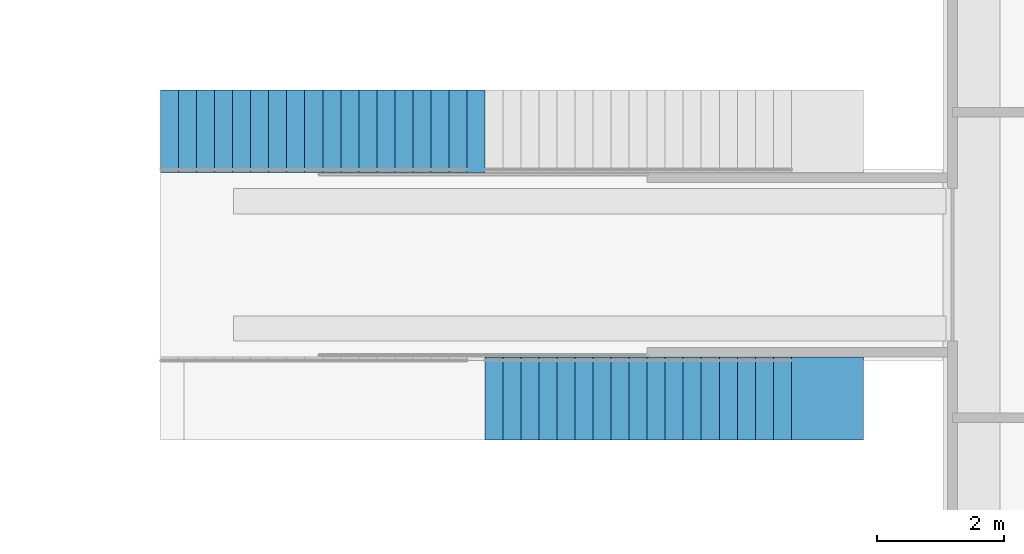
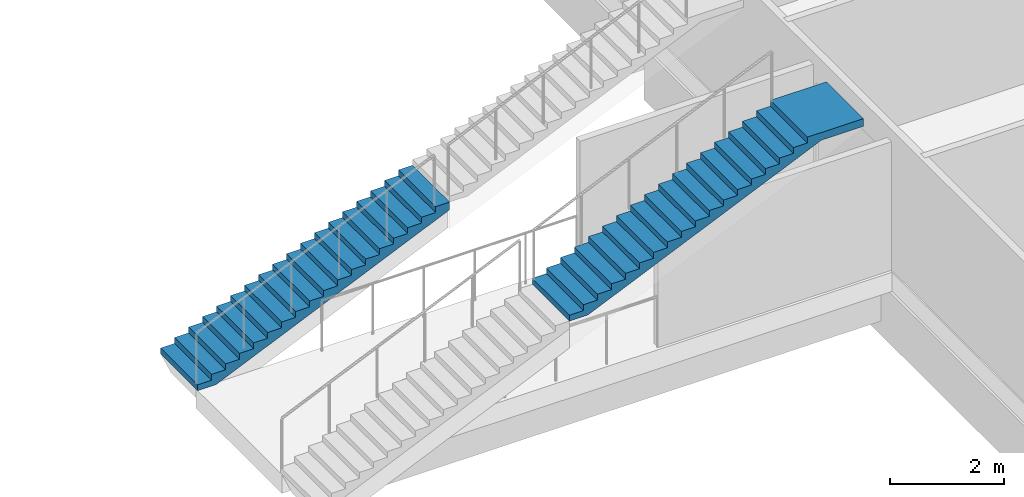
# One storey, part 103 of 175: 2 stair flights, 2 elements without a shape of their own.
"""IFC4 building model written with IfcOpenShell, lengths in metres."""

import ifcopenshell
import ifcopenshell.guid

model = None  # the IFC model being written
_history = None  # IfcOwnerHistory: only IFC2X3 demands one
_inside = {}  # id of a spatial element -> (the spatial element, [elements in it])
_under = {}  # id of a project, library or spatial element -> (it, [spatial elements below it])
_declared = {}  # id of a project -> (the project, [libraries it declares])
_typed = {}  # id of a type object -> (the type object, [elements of that type])
_made_of = {}  # id of a material, layer set ... -> (it, [elements and type objects made of it])


def new_model(schema):
    """Start an empty IFC model of exactly this schema.

    Asked for "IFC4X3", IfcOpenShell would pick the latest addendum, in which some entities
    have other attributes; the version numbers below select the first issue.
    IFC2X3 requires an IfcOwnerHistory on every rooted entity: one is made here for all.
    """
    global model, _history
    if schema == "IFC4X3":
        model = ifcopenshell.file(schema_version=(4, 3, 0, 0))
    else:
        model = ifcopenshell.file(schema=schema)
    _inside.clear()
    _under.clear()
    _declared.clear()
    _typed.clear()
    _made_of.clear()
    _history = None
    if model.schema == "IFC2X3":
        org = make("IfcOrganization", Name="unknown")
        user = make(
            "IfcPersonAndOrganization",
            ThePerson=make("IfcPerson", FamilyName="unknown"),
            TheOrganization=org,
        )
        app = make(
            "IfcApplication",
            ApplicationDeveloper=org,
            Version="unknown",
            ApplicationFullName="unknown",
            ApplicationIdentifier="unknown",
        )
        _history = make(
            "IfcOwnerHistory",
            OwningUser=user,
            OwningApplication=app,
            ChangeAction="ADDED",
            CreationDate=0,
        )
    return model


def make(cls, **values):
    """One entity of the class cls with the attributes given. An attribute that is None is left unset."""
    return model.create_entity(
        cls, **{name: value for name, value in values.items() if value is not None}
    )


def rooted(cls, **values):
    """An entity with a GlobalId (a new one), such as an element, a storey or a relation."""
    return make(cls, GlobalId=ifcopenshell.guid.new(), OwnerHistory=_history, **values)


def si_unit(unit_type, name, prefix=None):
    """IfcSIUnit, for example si_unit("LENGTHUNIT", "METRE", prefix="MILLI")."""
    return make("IfcSIUnit", UnitType=unit_type, Prefix=prefix, Name=name)


def assignment(units):
    """IfcUnitAssignment: the units of a project."""
    return None if units is None else make("IfcUnitAssignment", Units=units)


def point(xyz):
    """IfcCartesianPoint."""
    return None if xyz is None else make("IfcCartesianPoint", Coordinates=xyz)


def direction(xyz):
    """IfcDirection."""
    return None if xyz is None else make("IfcDirection", DirectionRatios=xyz)


def frame(location, z_axis=None, x_axis=None):
    """IfcAxis2Placement3D, a coordinate frame: its origin and axes. An axis left out is left unset."""
    return make(
        "IfcAxis2Placement3D",
        Location=point(location),
        Axis=direction(z_axis),
        RefDirection=direction(x_axis),
    )


def origin():
    """The frame at (0, 0, 0) with its axes left unset."""
    return frame((0.0, 0.0, 0.0))


def place(relative_to, where):
    """IfcLocalPlacement: puts the frame where relative to a parent placement (None: the world)."""
    return make(
        "IfcLocalPlacement", PlacementRelTo=relative_to, RelativePlacement=where
    )


def context(
    kind, dimensions, precision=None, world=None, true_north=None, identifier=None
):
    """IfcGeometricRepresentationContext, for example the 3D "Model" context."""
    return make(
        "IfcGeometricRepresentationContext",
        ContextIdentifier=identifier,
        ContextType=kind,
        CoordinateSpaceDimension=dimensions,
        Precision=precision,
        WorldCoordinateSystem=world,
        TrueNorth=true_north,
    )


def subcontext(parent, identifier, kind, view, scale=None):
    """IfcGeometricRepresentationSubContext, for example "Body" below "Model"."""
    return make(
        "IfcGeometricRepresentationSubContext",
        ContextIdentifier=identifier,
        ContextType=kind,
        ParentContext=parent,
        TargetScale=scale,
        TargetView=view,
    )


def project(units=None, contexts=None):
    """IfcProject with its units and contexts."""
    return rooted(
        "IfcProject",
        Name="project",
        RepresentationContexts=contexts,
        UnitsInContext=assignment(units),
    )


def spatial(cls, under=None, at=None, **own):
    """A site, building, storey or space (cls), placed at a placement, below another one or the project."""
    s = rooted(cls, ObjectPlacement=at, **own)
    if under is not None:
        _under.setdefault(under.id(), (under, []))[1].append(s)
    return s


def faces_of(points, faces, orient=None, outer=None):
    """IfcFace entities. A face is a list of loops; a loop is a list of indices into points, from 0.

    orient and outer hold one flag for each loop. By default every Orientation is true, the
    first loop of a face is its IfcFaceOuterBound and the others are IfcFaceBound.
    """
    made = []
    for i, loops in enumerate(faces):
        bounds = []
        for j, loop in enumerate(loops):
            is_outer = j == 0 if outer is None else outer[i][j]
            bounds.append(
                make(
                    "IfcFaceOuterBound" if is_outer else "IfcFaceBound",
                    Bound=make("IfcPolyLoop", Polygon=[points[k] for k in loop]),
                    Orientation=True if orient is None else orient[i][j],
                )
            )
        made.append(make("IfcFace", Bounds=bounds))
    return made


def faceted_brep(points, faces, orient=None, outer=None, voids=None):
    """IfcFacetedBrep: a solid bounded by flat faces; with voids (closed shells), ...WithVoids."""
    shared = [point(p) for p in points]
    hull = make("IfcClosedShell", CfsFaces=faces_of(shared, faces, orient, outer))
    if voids is None:
        return make("IfcFacetedBrep", Outer=hull)
    return make(
        "IfcFacetedBrepWithVoids",
        Outer=hull,
        Voids=[
            make(cls, CfsFaces=faces_of(shared, fs, o, b)) for cls, fs, o, b in voids
        ],
    )


def shape(context_of_items, identifier, shape_type, items):
    """IfcShapeRepresentation: the items that make up one representation, for example the "Body"."""
    return make(
        "IfcShapeRepresentation",
        ContextOfItems=context_of_items,
        RepresentationIdentifier=identifier,
        RepresentationType=shape_type,
        Items=items,
    )


def material(Name=None, Category=None):
    """IfcMaterial."""
    return make("IfcMaterial", Name=Name, Category=Category)


def made_of(thing, what):
    """Note that an element or type object is made of a material, layer set ...; save() writes the relation."""
    if what is not None:
        _made_of.setdefault(what.id(), (what, []))[1].append(thing)
    return thing


def type_object(cls, material=None, **own):
    """A type object (cls), such as IfcWallType, which elements share."""
    return made_of(rooted(cls, **own), material)


def element(
    cls,
    number,
    at=None,
    inside=None,
    cuts=None,
    type_object=None,
    material=None,
    context=None,
    identifier="Body",
    shape_type=None,
    held_by="IfcProductDefinitionShape",
    body=None,
    shapes=None,
    **own,
):
    """One element of the class cls, such as IfcWall. Its Tag is "e" and its number.

    at: its placement. inside: the storey or other place that contains it. cuts: it is an
    opening in that element (IfcRelVoidsElement). A single representation is given by context,
    identifier, shape_type and body (its items); several are given by shapes. held_by: the class
    of the entity that holds the representations. save() writes the other relations.
    """
    e = rooted(cls, Tag="e%d" % number, ObjectPlacement=at, **own)
    if body is not None:
        shapes = [shape(context, identifier, shape_type, body)]
    if shapes is not None:
        e.Representation = make(held_by, Representations=shapes)
    if inside is not None:
        _inside.setdefault(inside.id(), (inside, []))[1].append(e)
    if cuts is not None:
        rooted(
            "IfcRelVoidsElement", RelatingBuildingElement=cuts, RelatedOpeningElement=e
        )
    if type_object is not None:
        _typed.setdefault(type_object.id(), (type_object, []))[1].append(e)
    return made_of(e, material)


def aggregate(whole, parts):
    """IfcRelAggregates: a whole, such as a stair, and the parts it consists of."""
    return rooted("IfcRelAggregates", RelatingObject=whole, RelatedObjects=parts)


def save(model, path):
    """Write the relations noted so far, then the file.

    IfcRelAggregates (storeys below a building ...), IfcRelContainedInSpatialStructure (elements
    in a storey), IfcRelDefinesByType, IfcRelAssociatesMaterial and IfcRelDeclares: one each for
    every whole, place, type object, material and project.
    """
    for whole, parts in _under.values():
        aggregate(whole, parts)
    for where, things in _inside.values():
        rooted(
            "IfcRelContainedInSpatialStructure",
            RelatedElements=things,
            RelatingStructure=where,
        )
    for kind, things in _typed.values():
        rooted("IfcRelDefinesByType", RelatedObjects=things, RelatingType=kind)
    for what, things in _made_of.values():
        rooted("IfcRelAssociatesMaterial", RelatedObjects=things, RelatingMaterial=what)
    for by, libraries in _declared.values():
        rooted("IfcRelDeclares", RelatingContext=by, RelatedDefinitions=libraries)
    model.write(path)


model = new_model("IFC4")

# Units and contexts
model_context = context("Model", 3, precision=1e-05, world=origin(), true_north=direction((0.0, 1.0)))
body_context = subcontext(model_context, "Body", "Model", "MODEL_VIEW")
ifc_project = project(units=[si_unit("LENGTHUNIT", "METRE"), si_unit("AREAUNIT", "SQUARE_METRE"), si_unit("VOLUMEUNIT", "CUBIC_METRE"), si_unit("PLANEANGLEUNIT", "RADIAN"), si_unit("MASSUNIT", "GRAM", prefix="KILO")], contexts=[model_context])

# Site, building, storey
site_placement = place(None, origin())
site = spatial("IfcSite", under=ifc_project, at=site_placement, CompositionType="ELEMENT")
building_placement = place(site_placement, origin())
building = spatial("IfcBuilding", under=site, at=building_placement, Name="Ogive Plaza Stadium", CompositionType="ELEMENT")
storey_placement = place(building_placement, origin())
storey = spatial("IfcBuildingStorey", under=building, at=storey_placement, Name="L00", CompositionType="ELEMENT", Elevation=0.0)

# Stair, stair flight
ifc_material_1 = material(Name="Concrete C40/50", Category="concrete")
stair_type = type_object("IfcStairType", Name="Aisle stair", PredefinedType="STRAIGHT_RUN_STAIR", material=ifc_material_1)
stair_1_placement = place(storey_placement, origin())
stair_1 = element("IfcStair", 1, at=stair_1_placement, inside=storey, type_object=stair_type, Name="Aisle stair SA03L", PredefinedType="STRAIGHT_RUN_STAIR")
ifc_material_2 = material(Name="Concrete C40/50", Category="concrete")
stair_flight_type = type_object("IfcStairFlightType", Name="Aisle stair flight", PredefinedType="STRAIGHT", material=ifc_material_2)
stair_flight_1_placement = place(storey_placement, frame((54.25, 12.89990234375, 2.25), z_axis=(0.0, 0.0, 1.0), x_axis=(1.0, 0.0, 0.0)))
stair_flight_1 = element("IfcStairFlight", 2, at=stair_flight_1_placement, type_object=stair_flight_type, Name="SA03L flight 2", NumberOfRisers=18, NumberOfTreads=17, PredefinedType="STRAIGHT", RiserHeight=0.125, TreadLength=0.283333333, context=body_context, shape_type="Brep", body=[
    faceted_brep([(0.371337890625, -0.64990234375, 0.0), (5.10009765625, -0.64990234375, 2.086181640625), (5.949951171875, -0.64990234375, 2.086181640625), (5.949951171875, -0.64990234375, 2.25), (4.816650390625, -0.64990234375, 2.25), (4.816650390625, -0.64990234375, 2.125), (4.533447265625, -0.64990234375, 2.125), (4.533447265625, -0.64990234375, 2.0), (4.25, -0.64990234375, 2.0), (4.25, -0.64990234375, 1.875), (3.966552734375, -0.64990234375, 1.875), (3.966552734375, -0.64990234375, 1.75), (3.683349609375, -0.64990234375, 1.75), (3.683349609375, -0.64990234375, 1.625), (3.39990234375, -0.64990234375, 1.625), (3.39990234375, -0.64990234375, 1.5), (3.11669921875, -0.64990234375, 1.5), (3.11669921875, -0.64990234375, 1.375), (2.833251953125, -0.64990234375, 1.375), (2.833251953125, -0.64990234375, 1.25), (2.550048828125, -0.64990234375, 1.25), (2.550048828125, -0.64990234375, 1.125), (2.2666015625, -0.64990234375, 1.125), (2.2666015625, -0.64990234375, 1.0), (1.9833984375, -0.64990234375, 1.0), (1.9833984375, -0.64990234375, 0.875), (1.699951171875, -0.64990234375, 0.875), (1.699951171875, -0.64990234375, 0.75), (1.416748046875, -0.64990234375, 0.75), (1.416748046875, -0.64990234375, 0.625), (1.13330078125, -0.64990234375, 0.625), (1.13330078125, -0.64990234375, 0.5), (0.85009765625, -0.64990234375, 0.5), (0.85009765625, -0.64990234375, 0.375), (0.566650390625, -0.64990234375, 0.375), (0.566650390625, -0.64990234375, 0.25), (0.283447265625, -0.64990234375, 0.25), (0.283447265625, -0.64990234375, 0.125), (0.0, -0.64990234375, 0.125), (0.0, -0.64990234375, 0.0), (0.0, 0.64990234375, 0.0), (0.0, 0.64990234375, 0.125), (0.283447265625, 0.64990234375, 0.125), (0.283447265625, 0.64990234375, 0.25), (0.566650390625, 0.64990234375, 0.25), (0.566650390625, 0.64990234375, 0.375), (0.85009765625, 0.64990234375, 0.375), (0.85009765625, 0.64990234375, 0.5), (1.13330078125, 0.64990234375, 0.5), (1.13330078125, 0.64990234375, 0.625), (1.416748046875, 0.64990234375, 0.625), (1.416748046875, 0.64990234375, 0.75), (1.699951171875, 0.64990234375, 0.75), (1.699951171875, 0.64990234375, 0.875), (1.9833984375, 0.64990234375, 0.875), (1.9833984375, 0.64990234375, 1.0), (2.2666015625, 0.64990234375, 1.0), (2.2666015625, 0.64990234375, 1.125), (2.550048828125, 0.64990234375, 1.125), (2.550048828125, 0.64990234375, 1.25), (2.833251953125, 0.64990234375, 1.25), (2.833251953125, 0.64990234375, 1.375), (3.11669921875, 0.64990234375, 1.375), (3.11669921875, 0.64990234375, 1.5), (3.39990234375, 0.64990234375, 1.5), (3.39990234375, 0.64990234375, 1.625), (3.683349609375, 0.64990234375, 1.625), (3.683349609375, 0.64990234375, 1.75), (3.966552734375, 0.64990234375, 1.75), (3.966552734375, 0.64990234375, 1.875), (4.25, 0.64990234375, 1.875), (4.25, 0.64990234375, 2.0), (4.533447265625, 0.64990234375, 2.0), (4.533447265625, 0.64990234375, 2.125), (4.816650390625, 0.64990234375, 2.125), (4.816650390625, 0.64990234375, 2.25), (5.949951171875, 0.64990234375, 2.25), (5.949951171875, 0.64990234375, 2.086181640625), (5.10009765625, 0.64990234375, 2.086181640625), (0.371337890625, 0.64990234375, 0.0), (0.371337890625, -0.324951171875, 0.0), (5.10009765625, -0.324951171875, 2.086181640625), (0.371337890625, 0.0, 0.0), (5.10009765625, 0.0, 2.086181640625), (0.371337890625, 0.324951171875, 0.0), (5.10009765625, 0.324951171875, 2.086181640625), (5.949951171875, -0.324951171875, 2.086181640625), (5.949951171875, 0.0, 2.086181640625), (5.949951171875, 0.324951171875, 2.086181640625), (5.949951171875, -0.324951171875, 2.25), (5.949951171875, 0.0, 2.25), (5.949951171875, 0.324951171875, 2.25), (4.816650390625, -0.324951171875, 2.25), (4.816650390625, 0.0, 2.25), (4.816650390625, 0.324951171875, 2.25), (4.816650390625, -0.324951171875, 2.125), (4.816650390625, 0.0, 2.125), (4.816650390625, 0.324951171875, 2.125), (4.533447265625, -0.324951171875, 2.125), (4.533447265625, 0.0, 2.125), (4.533447265625, 0.324951171875, 2.125), (4.533447265625, -0.324951171875, 2.0), (4.533447265625, 0.0, 2.0), (4.533447265625, 0.324951171875, 2.0), (4.25, -0.324951171875, 2.0), (4.25, 0.0, 2.0), (4.25, 0.324951171875, 2.0), (4.25, -0.324951171875, 1.875), (4.25, 0.0, 1.875), (4.25, 0.324951171875, 1.875), (3.966552734375, -0.324951171875, 1.875), (3.966552734375, 0.0, 1.875), (3.966552734375, 0.324951171875, 1.875), (3.966552734375, -0.324951171875, 1.75), (3.966552734375, 0.0, 1.75), (3.966552734375, 0.324951171875, 1.75), (3.683349609375, -0.324951171875, 1.75), (3.683349609375, 0.0, 1.75), (3.683349609375, 0.324951171875, 1.75), (3.683349609375, -0.324951171875, 1.625), (3.683349609375, 0.0, 1.625), (3.683349609375, 0.324951171875, 1.625), (3.39990234375, -0.324951171875, 1.625), (3.39990234375, 0.0, 1.625), (3.39990234375, 0.324951171875, 1.625), (3.39990234375, -0.324951171875, 1.5), (3.39990234375, 0.0, 1.5), (3.39990234375, 0.324951171875, 1.5), (3.11669921875, -0.324951171875, 1.5), (3.11669921875, 0.0, 1.5), (3.11669921875, 0.324951171875, 1.5), (3.11669921875, -0.324951171875, 1.375), (3.11669921875, 0.0, 1.375), (3.11669921875, 0.324951171875, 1.375), (2.833251953125, -0.324951171875, 1.375), (2.833251953125, 0.0, 1.375), (2.833251953125, 0.324951171875, 1.375), (2.833251953125, -0.324951171875, 1.25), (2.833251953125, 0.0, 1.25), (2.833251953125, 0.324951171875, 1.25), (2.550048828125, -0.324951171875, 1.25), (2.550048828125, 0.0, 1.25), (2.550048828125, 0.324951171875, 1.25), (2.550048828125, -0.324951171875, 1.125), (2.550048828125, 0.0, 1.125), (2.550048828125, 0.324951171875, 1.125), (2.2666015625, -0.324951171875, 1.125), (2.2666015625, 0.0, 1.125), (2.2666015625, 0.324951171875, 1.125), (2.2666015625, -0.324951171875, 1.0), (2.2666015625, 0.0, 1.0), (2.2666015625, 0.324951171875, 1.0), (1.9833984375, -0.324951171875, 1.0), (1.9833984375, 0.0, 1.0), (1.9833984375, 0.324951171875, 1.0), (1.9833984375, -0.324951171875, 0.875), (1.9833984375, 0.0, 0.875), (1.9833984375, 0.324951171875, 0.875), (1.699951171875, -0.324951171875, 0.875), (1.699951171875, 0.0, 0.875), (1.699951171875, 0.324951171875, 0.875), (1.699951171875, -0.324951171875, 0.75), (1.699951171875, 0.0, 0.75), (1.699951171875, 0.324951171875, 0.75), (1.416748046875, -0.324951171875, 0.75), (1.416748046875, 0.0, 0.75), (1.416748046875, 0.324951171875, 0.75), (1.416748046875, -0.324951171875, 0.625), (1.416748046875, 0.0, 0.625), (1.416748046875, 0.324951171875, 0.625), (1.13330078125, -0.324951171875, 0.625), (1.13330078125, 0.0, 0.625), (1.13330078125, 0.324951171875, 0.625), (1.13330078125, -0.324951171875, 0.5), (1.13330078125, 0.0, 0.5), (1.13330078125, 0.324951171875, 0.5), (0.85009765625, -0.324951171875, 0.5), (0.85009765625, 0.0, 0.5), (0.85009765625, 0.324951171875, 0.5), (0.85009765625, -0.324951171875, 0.375), (0.85009765625, 0.0, 0.375), (0.85009765625, 0.324951171875, 0.375), (0.566650390625, -0.324951171875, 0.375), (0.566650390625, 0.0, 0.375), (0.566650390625, 0.324951171875, 0.375), (0.566650390625, -0.324951171875, 0.25), (0.566650390625, 0.0, 0.25), (0.566650390625, 0.324951171875, 0.25), (0.283447265625, -0.324951171875, 0.25), (0.283447265625, 0.0, 0.25), (0.283447265625, 0.324951171875, 0.25), (0.283447265625, -0.324951171875, 0.125), (0.283447265625, 0.0, 0.125), (0.283447265625, 0.324951171875, 0.125), (0.0, -0.324951171875, 0.125), (0.0, 0.0, 0.125), (0.0, 0.324951171875, 0.125), (0.0, -0.324951171875, 0.0), (0.0, 0.0, 0.0), (0.0, 0.324951171875, 0.0)], [[[0, 1, 2, 3, 4, 5, 6, 7, 8, 9, 10, 11, 12, 13, 14, 15, 16, 17, 18, 19, 20, 21, 22, 23, 24, 25, 26, 27, 28, 29, 30, 31, 32, 33, 34, 35, 36, 37, 38, 39]], [[40, 41, 42, 43, 44, 45, 46, 47, 48, 49, 50, 51, 52, 53, 54, 55, 56, 57, 58, 59, 60, 61, 62, 63, 64, 65, 66, 67, 68, 69, 70, 71, 72, 73, 74, 75, 76, 77, 78, 79]], [[0, 80, 81, 1]], [[80, 82, 83, 81]], [[82, 84, 85, 83]], [[84, 79, 78, 85]], [[1, 81, 86, 2]], [[81, 83, 87, 86]], [[83, 85, 88, 87]], [[85, 78, 77, 88]], [[2, 86, 89, 3]], [[86, 87, 90, 89]], [[87, 88, 91, 90]], [[88, 77, 76, 91]], [[3, 89, 92, 4]], [[89, 90, 93, 92]], [[90, 91, 94, 93]], [[91, 76, 75, 94]], [[4, 92, 95, 5]], [[92, 93, 96, 95]], [[93, 94, 97, 96]], [[94, 75, 74, 97]], [[5, 95, 98, 6]], [[95, 96, 99, 98]], [[96, 97, 100, 99]], [[97, 74, 73, 100]], [[6, 98, 101, 7]], [[98, 99, 102, 101]], [[99, 100, 103, 102]], [[100, 73, 72, 103]], [[7, 101, 104, 8]], [[101, 102, 105, 104]], [[102, 103, 106, 105]], [[103, 72, 71, 106]], [[8, 104, 107, 9]], [[104, 105, 108, 107]], [[105, 106, 109, 108]], [[106, 71, 70, 109]], [[9, 107, 110, 10]], [[107, 108, 111, 110]], [[108, 109, 112, 111]], [[109, 70, 69, 112]], [[10, 110, 113, 11]], [[110, 111, 114, 113]], [[111, 112, 115, 114]], [[112, 69, 68, 115]], [[11, 113, 116, 12]], [[113, 114, 117, 116]], [[114, 115, 118, 117]], [[115, 68, 67, 118]], [[12, 116, 119, 13]], [[116, 117, 120, 119]], [[117, 118, 121, 120]], [[118, 67, 66, 121]], [[13, 119, 122, 14]], [[119, 120, 123, 122]], [[120, 121, 124, 123]], [[121, 66, 65, 124]], [[14, 122, 125, 15]], [[122, 123, 126, 125]], [[123, 124, 127, 126]], [[124, 65, 64, 127]], [[15, 125, 128, 16]], [[125, 126, 129, 128]], [[126, 127, 130, 129]], [[127, 64, 63, 130]], [[16, 128, 131, 17]], [[128, 129, 132, 131]], [[129, 130, 133, 132]], [[130, 63, 62, 133]], [[17, 131, 134, 18]], [[131, 132, 135, 134]], [[132, 133, 136, 135]], [[133, 62, 61, 136]], [[18, 134, 137, 19]], [[134, 135, 138, 137]], [[135, 136, 139, 138]], [[136, 61, 60, 139]], [[19, 137, 140, 20]], [[137, 138, 141, 140]], [[138, 139, 142, 141]], [[139, 60, 59, 142]], [[20, 140, 143, 21]], [[140, 141, 144, 143]], [[141, 142, 145, 144]], [[142, 59, 58, 145]], [[21, 143, 146, 22]], [[143, 144, 147, 146]], [[144, 145, 148, 147]], [[145, 58, 57, 148]], [[22, 146, 149, 23]], [[146, 147, 150, 149]], [[147, 148, 151, 150]], [[148, 57, 56, 151]], [[23, 149, 152, 24]], [[149, 150, 153, 152]], [[150, 151, 154, 153]], [[151, 56, 55, 154]], [[24, 152, 155, 25]], [[152, 153, 156, 155]], [[153, 154, 157, 156]], [[154, 55, 54, 157]], [[25, 155, 158, 26]], [[155, 156, 159, 158]], [[156, 157, 160, 159]], [[157, 54, 53, 160]], [[26, 158, 161, 27]], [[158, 159, 162, 161]], [[159, 160, 163, 162]], [[160, 53, 52, 163]], [[27, 161, 164, 28]], [[161, 162, 165, 164]], [[162, 163, 166, 165]], [[163, 52, 51, 166]], [[28, 164, 167, 29]], [[164, 165, 168, 167]], [[165, 166, 169, 168]], [[166, 51, 50, 169]], [[29, 167, 170, 30]], [[167, 168, 171, 170]], [[168, 169, 172, 171]], [[169, 50, 49, 172]], [[30, 170, 173, 31]], [[170, 171, 174, 173]], [[171, 172, 175, 174]], [[172, 49, 48, 175]], [[31, 173, 176, 32]], [[173, 174, 177, 176]], [[174, 175, 178, 177]], [[175, 48, 47, 178]], [[32, 176, 179, 33]], [[176, 177, 180, 179]], [[177, 178, 181, 180]], [[178, 47, 46, 181]], [[33, 179, 182, 34]], [[179, 180, 183, 182]], [[180, 181, 184, 183]], [[181, 46, 45, 184]], [[34, 182, 185, 35]], [[182, 183, 186, 185]], [[183, 184, 187, 186]], [[184, 45, 44, 187]], [[35, 185, 188, 36]], [[185, 186, 189, 188]], [[186, 187, 190, 189]], [[187, 44, 43, 190]], [[36, 188, 191, 37]], [[188, 189, 192, 191]], [[189, 190, 193, 192]], [[190, 43, 42, 193]], [[37, 191, 194, 38]], [[191, 192, 195, 194]], [[192, 193, 196, 195]], [[193, 42, 41, 196]], [[38, 194, 197, 39]], [[194, 195, 198, 197]], [[195, 196, 199, 198]], [[196, 41, 40, 199]], [[39, 197, 80, 0]], [[197, 198, 82, 80]], [[198, 199, 84, 82]], [[199, 40, 79, 84]]]),
])
aggregate(stair_1, [stair_flight_1])

stair_2_placement = place(storey_placement, origin())
stair_2 = element("IfcStair", 3, at=stair_2_placement, inside=storey, type_object=stair_type, Name="Aisle stair SA03R", PredefinedType="STRAIGHT_RUN_STAIR")
stair_flight_2_placement = place(storey_placement, frame((49.14990234375, 17.10009765625, 0.0), z_axis=(0.0, 0.0, 1.0), x_axis=(1.0, 0.0, 0.0)))
stair_flight_2 = element("IfcStairFlight", 4, at=stair_flight_2_placement, type_object=stair_flight_type, Name="SA03R flight 1", NumberOfRisers=18, NumberOfTreads=17, PredefinedType="STRAIGHT", RiserHeight=0.125, TreadLength=0.283333333, context=body_context, shape_type="Brep", body=[
    faceted_brep([(0.371337890625, -0.64990234375, 0.0), (5.10009765625, -0.64990234375, 2.086181640625), (5.10009765625, -0.64990234375, 2.25), (4.816650390625, -0.64990234375, 2.25), (4.816650390625, -0.64990234375, 2.125), (4.533447265625, -0.64990234375, 2.125), (4.533447265625, -0.64990234375, 2.0), (4.25, -0.64990234375, 2.0), (4.25, -0.64990234375, 1.875), (3.966552734375, -0.64990234375, 1.875), (3.966552734375, -0.64990234375, 1.75), (3.683349609375, -0.64990234375, 1.75), (3.683349609375, -0.64990234375, 1.625), (3.39990234375, -0.64990234375, 1.625), (3.39990234375, -0.64990234375, 1.5), (3.11669921875, -0.64990234375, 1.5), (3.11669921875, -0.64990234375, 1.375), (2.833251953125, -0.64990234375, 1.375), (2.833251953125, -0.64990234375, 1.25), (2.550048828125, -0.64990234375, 1.25), (2.550048828125, -0.64990234375, 1.125), (2.2666015625, -0.64990234375, 1.125), (2.2666015625, -0.64990234375, 1.0), (1.9833984375, -0.64990234375, 1.0), (1.9833984375, -0.64990234375, 0.875), (1.699951171875, -0.64990234375, 0.875), (1.699951171875, -0.64990234375, 0.75), (1.416748046875, -0.64990234375, 0.75), (1.416748046875, -0.64990234375, 0.625), (1.13330078125, -0.64990234375, 0.625), (1.13330078125, -0.64990234375, 0.5), (0.85009765625, -0.64990234375, 0.5), (0.85009765625, -0.64990234375, 0.375), (0.566650390625, -0.64990234375, 0.375), (0.566650390625, -0.64990234375, 0.25), (0.283447265625, -0.64990234375, 0.25), (0.283447265625, -0.64990234375, 0.125), (0.0, -0.64990234375, 0.125), (0.0, -0.64990234375, 0.0), (0.0, 0.64990234375, 0.0), (0.0, 0.64990234375, 0.125), (0.283447265625, 0.64990234375, 0.125), (0.283447265625, 0.64990234375, 0.25), (0.566650390625, 0.64990234375, 0.25), (0.566650390625, 0.64990234375, 0.375), (0.85009765625, 0.64990234375, 0.375), (0.85009765625, 0.64990234375, 0.5), (1.13330078125, 0.64990234375, 0.5), (1.13330078125, 0.64990234375, 0.625), (1.416748046875, 0.64990234375, 0.625), (1.416748046875, 0.64990234375, 0.75), (1.699951171875, 0.64990234375, 0.75), (1.699951171875, 0.64990234375, 0.875), (1.9833984375, 0.64990234375, 0.875), (1.9833984375, 0.64990234375, 1.0), (2.2666015625, 0.64990234375, 1.0), (2.2666015625, 0.64990234375, 1.125), (2.550048828125, 0.64990234375, 1.125), (2.550048828125, 0.64990234375, 1.25), (2.833251953125, 0.64990234375, 1.25), (2.833251953125, 0.64990234375, 1.375), (3.11669921875, 0.64990234375, 1.375), (3.11669921875, 0.64990234375, 1.5), (3.39990234375, 0.64990234375, 1.5), (3.39990234375, 0.64990234375, 1.625), (3.683349609375, 0.64990234375, 1.625), (3.683349609375, 0.64990234375, 1.75), (3.966552734375, 0.64990234375, 1.75), (3.966552734375, 0.64990234375, 1.875), (4.25, 0.64990234375, 1.875), (4.25, 0.64990234375, 2.0), (4.533447265625, 0.64990234375, 2.0), (4.533447265625, 0.64990234375, 2.125), (4.816650390625, 0.64990234375, 2.125), (4.816650390625, 0.64990234375, 2.25), (5.10009765625, 0.64990234375, 2.25), (5.10009765625, 0.64990234375, 2.086181640625), (0.371337890625, 0.64990234375, 0.0), (0.371337890625, -0.324951171875, 0.0), (5.10009765625, -0.324951171875, 2.086181640625), (0.371337890625, 0.0, 0.0), (5.10009765625, 0.0, 2.086181640625), (0.371337890625, 0.324951171875, 0.0), (5.10009765625, 0.324951171875, 2.086181640625), (5.10009765625, -0.324951171875, 2.25), (5.10009765625, 0.0, 2.25), (5.10009765625, 0.324951171875, 2.25), (4.816650390625, -0.324951171875, 2.25), (4.816650390625, 0.0, 2.25), (4.816650390625, 0.324951171875, 2.25), (4.816650390625, -0.324951171875, 2.125), (4.816650390625, 0.0, 2.125), (4.816650390625, 0.324951171875, 2.125), (4.533447265625, -0.324951171875, 2.125), (4.533447265625, 0.0, 2.125), (4.533447265625, 0.324951171875, 2.125), (4.533447265625, -0.324951171875, 2.0), (4.533447265625, 0.0, 2.0), (4.533447265625, 0.324951171875, 2.0), (4.25, -0.324951171875, 2.0), (4.25, 0.0, 2.0), (4.25, 0.324951171875, 2.0), (4.25, -0.324951171875, 1.875), (4.25, 0.0, 1.875), (4.25, 0.324951171875, 1.875), (3.966552734375, -0.324951171875, 1.875), (3.966552734375, 0.0, 1.875), (3.966552734375, 0.324951171875, 1.875), (3.966552734375, -0.324951171875, 1.75), (3.966552734375, 0.0, 1.75), (3.966552734375, 0.324951171875, 1.75), (3.683349609375, -0.324951171875, 1.75), (3.683349609375, 0.0, 1.75), (3.683349609375, 0.324951171875, 1.75), (3.683349609375, -0.324951171875, 1.625), (3.683349609375, 0.0, 1.625), (3.683349609375, 0.324951171875, 1.625), (3.39990234375, -0.324951171875, 1.625), (3.39990234375, 0.0, 1.625), (3.39990234375, 0.324951171875, 1.625), (3.39990234375, -0.324951171875, 1.5), (3.39990234375, 0.0, 1.5), (3.39990234375, 0.324951171875, 1.5), (3.11669921875, -0.324951171875, 1.5), (3.11669921875, 0.0, 1.5), (3.11669921875, 0.324951171875, 1.5), (3.11669921875, -0.324951171875, 1.375), (3.11669921875, 0.0, 1.375), (3.11669921875, 0.324951171875, 1.375), (2.833251953125, -0.324951171875, 1.375), (2.833251953125, 0.0, 1.375), (2.833251953125, 0.324951171875, 1.375), (2.833251953125, -0.324951171875, 1.25), (2.833251953125, 0.0, 1.25), (2.833251953125, 0.324951171875, 1.25), (2.550048828125, -0.324951171875, 1.25), (2.550048828125, 0.0, 1.25), (2.550048828125, 0.324951171875, 1.25), (2.550048828125, -0.324951171875, 1.125), (2.550048828125, 0.0, 1.125), (2.550048828125, 0.324951171875, 1.125), (2.2666015625, -0.324951171875, 1.125), (2.2666015625, 0.0, 1.125), (2.2666015625, 0.324951171875, 1.125), (2.2666015625, -0.324951171875, 1.0), (2.2666015625, 0.0, 1.0), (2.2666015625, 0.324951171875, 1.0), (1.9833984375, -0.324951171875, 1.0), (1.9833984375, 0.0, 1.0), (1.9833984375, 0.324951171875, 1.0), (1.9833984375, -0.324951171875, 0.875), (1.9833984375, 0.0, 0.875), (1.9833984375, 0.324951171875, 0.875), (1.699951171875, -0.324951171875, 0.875), (1.699951171875, 0.0, 0.875), (1.699951171875, 0.324951171875, 0.875), (1.699951171875, -0.324951171875, 0.75), (1.699951171875, 0.0, 0.75), (1.699951171875, 0.324951171875, 0.75), (1.416748046875, -0.324951171875, 0.75), (1.416748046875, 0.0, 0.75), (1.416748046875, 0.324951171875, 0.75), (1.416748046875, -0.324951171875, 0.625), (1.416748046875, 0.0, 0.625), (1.416748046875, 0.324951171875, 0.625), (1.13330078125, -0.324951171875, 0.625), (1.13330078125, 0.0, 0.625), (1.13330078125, 0.324951171875, 0.625), (1.13330078125, -0.324951171875, 0.5), (1.13330078125, 0.0, 0.5), (1.13330078125, 0.324951171875, 0.5), (0.85009765625, -0.324951171875, 0.5), (0.85009765625, 0.0, 0.5), (0.85009765625, 0.324951171875, 0.5), (0.85009765625, -0.324951171875, 0.375), (0.85009765625, 0.0, 0.375), (0.85009765625, 0.324951171875, 0.375), (0.566650390625, -0.324951171875, 0.375), (0.566650390625, 0.0, 0.375), (0.566650390625, 0.324951171875, 0.375), (0.566650390625, -0.324951171875, 0.25), (0.566650390625, 0.0, 0.25), (0.566650390625, 0.324951171875, 0.25), (0.283447265625, -0.324951171875, 0.25), (0.283447265625, 0.0, 0.25), (0.283447265625, 0.324951171875, 0.25), (0.283447265625, -0.324951171875, 0.125), (0.283447265625, 0.0, 0.125), (0.283447265625, 0.324951171875, 0.125), (0.0, -0.324951171875, 0.125), (0.0, 0.0, 0.125), (0.0, 0.324951171875, 0.125), (0.0, -0.324951171875, 0.0), (0.0, 0.0, 0.0), (0.0, 0.324951171875, 0.0)], [[[0, 1, 2, 3, 4, 5, 6, 7, 8, 9, 10, 11, 12, 13, 14, 15, 16, 17, 18, 19, 20, 21, 22, 23, 24, 25, 26, 27, 28, 29, 30, 31, 32, 33, 34, 35, 36, 37, 38]], [[39, 40, 41, 42, 43, 44, 45, 46, 47, 48, 49, 50, 51, 52, 53, 54, 55, 56, 57, 58, 59, 60, 61, 62, 63, 64, 65, 66, 67, 68, 69, 70, 71, 72, 73, 74, 75, 76, 77]], [[0, 78, 79, 1]], [[78, 80, 81, 79]], [[80, 82, 83, 81]], [[82, 77, 76, 83]], [[1, 79, 84, 2]], [[79, 81, 85, 84]], [[81, 83, 86, 85]], [[83, 76, 75, 86]], [[2, 84, 87, 3]], [[84, 85, 88, 87]], [[85, 86, 89, 88]], [[86, 75, 74, 89]], [[3, 87, 90, 4]], [[87, 88, 91, 90]], [[88, 89, 92, 91]], [[89, 74, 73, 92]], [[4, 90, 93, 5]], [[90, 91, 94, 93]], [[91, 92, 95, 94]], [[92, 73, 72, 95]], [[5, 93, 96, 6]], [[93, 94, 97, 96]], [[94, 95, 98, 97]], [[95, 72, 71, 98]], [[6, 96, 99, 7]], [[96, 97, 100, 99]], [[97, 98, 101, 100]], [[98, 71, 70, 101]], [[7, 99, 102, 8]], [[99, 100, 103, 102]], [[100, 101, 104, 103]], [[101, 70, 69, 104]], [[8, 102, 105, 9]], [[102, 103, 106, 105]], [[103, 104, 107, 106]], [[104, 69, 68, 107]], [[9, 105, 108, 10]], [[105, 106, 109, 108]], [[106, 107, 110, 109]], [[107, 68, 67, 110]], [[10, 108, 111, 11]], [[108, 109, 112, 111]], [[109, 110, 113, 112]], [[110, 67, 66, 113]], [[11, 111, 114, 12]], [[111, 112, 115, 114]], [[112, 113, 116, 115]], [[113, 66, 65, 116]], [[12, 114, 117, 13]], [[114, 115, 118, 117]], [[115, 116, 119, 118]], [[116, 65, 64, 119]], [[13, 117, 120, 14]], [[117, 118, 121, 120]], [[118, 119, 122, 121]], [[119, 64, 63, 122]], [[14, 120, 123, 15]], [[120, 121, 124, 123]], [[121, 122, 125, 124]], [[122, 63, 62, 125]], [[15, 123, 126, 16]], [[123, 124, 127, 126]], [[124, 125, 128, 127]], [[125, 62, 61, 128]], [[16, 126, 129, 17]], [[126, 127, 130, 129]], [[127, 128, 131, 130]], [[128, 61, 60, 131]], [[17, 129, 132, 18]], [[129, 130, 133, 132]], [[130, 131, 134, 133]], [[131, 60, 59, 134]], [[18, 132, 135, 19]], [[132, 133, 136, 135]], [[133, 134, 137, 136]], [[134, 59, 58, 137]], [[19, 135, 138, 20]], [[135, 136, 139, 138]], [[136, 137, 140, 139]], [[137, 58, 57, 140]], [[20, 138, 141, 21]], [[138, 139, 142, 141]], [[139, 140, 143, 142]], [[140, 57, 56, 143]], [[21, 141, 144, 22]], [[141, 142, 145, 144]], [[142, 143, 146, 145]], [[143, 56, 55, 146]], [[22, 144, 147, 23]], [[144, 145, 148, 147]], [[145, 146, 149, 148]], [[146, 55, 54, 149]], [[23, 147, 150, 24]], [[147, 148, 151, 150]], [[148, 149, 152, 151]], [[149, 54, 53, 152]], [[24, 150, 153, 25]], [[150, 151, 154, 153]], [[151, 152, 155, 154]], [[152, 53, 52, 155]], [[25, 153, 156, 26]], [[153, 154, 157, 156]], [[154, 155, 158, 157]], [[155, 52, 51, 158]], [[26, 156, 159, 27]], [[156, 157, 160, 159]], [[157, 158, 161, 160]], [[158, 51, 50, 161]], [[27, 159, 162, 28]], [[159, 160, 163, 162]], [[160, 161, 164, 163]], [[161, 50, 49, 164]], [[28, 162, 165, 29]], [[162, 163, 166, 165]], [[163, 164, 167, 166]], [[164, 49, 48, 167]], [[29, 165, 168, 30]], [[165, 166, 169, 168]], [[166, 167, 170, 169]], [[167, 48, 47, 170]], [[30, 168, 171, 31]], [[168, 169, 172, 171]], [[169, 170, 173, 172]], [[170, 47, 46, 173]], [[31, 171, 174, 32]], [[171, 172, 175, 174]], [[172, 173, 176, 175]], [[173, 46, 45, 176]], [[32, 174, 177, 33]], [[174, 175, 178, 177]], [[175, 176, 179, 178]], [[176, 45, 44, 179]], [[33, 177, 180, 34]], [[177, 178, 181, 180]], [[178, 179, 182, 181]], [[179, 44, 43, 182]], [[34, 180, 183, 35]], [[180, 181, 184, 183]], [[181, 182, 185, 184]], [[182, 43, 42, 185]], [[35, 183, 186, 36]], [[183, 184, 187, 186]], [[184, 185, 188, 187]], [[185, 42, 41, 188]], [[36, 186, 189, 37]], [[186, 187, 190, 189]], [[187, 188, 191, 190]], [[188, 41, 40, 191]], [[37, 189, 192, 38]], [[189, 190, 193, 192]], [[190, 191, 194, 193]], [[191, 40, 39, 194]], [[38, 192, 78, 0]], [[192, 193, 80, 78]], [[193, 194, 82, 80]], [[194, 39, 77, 82]]]),
])
aggregate(stair_2, [stair_flight_2])

save(model, "model.ifc")
